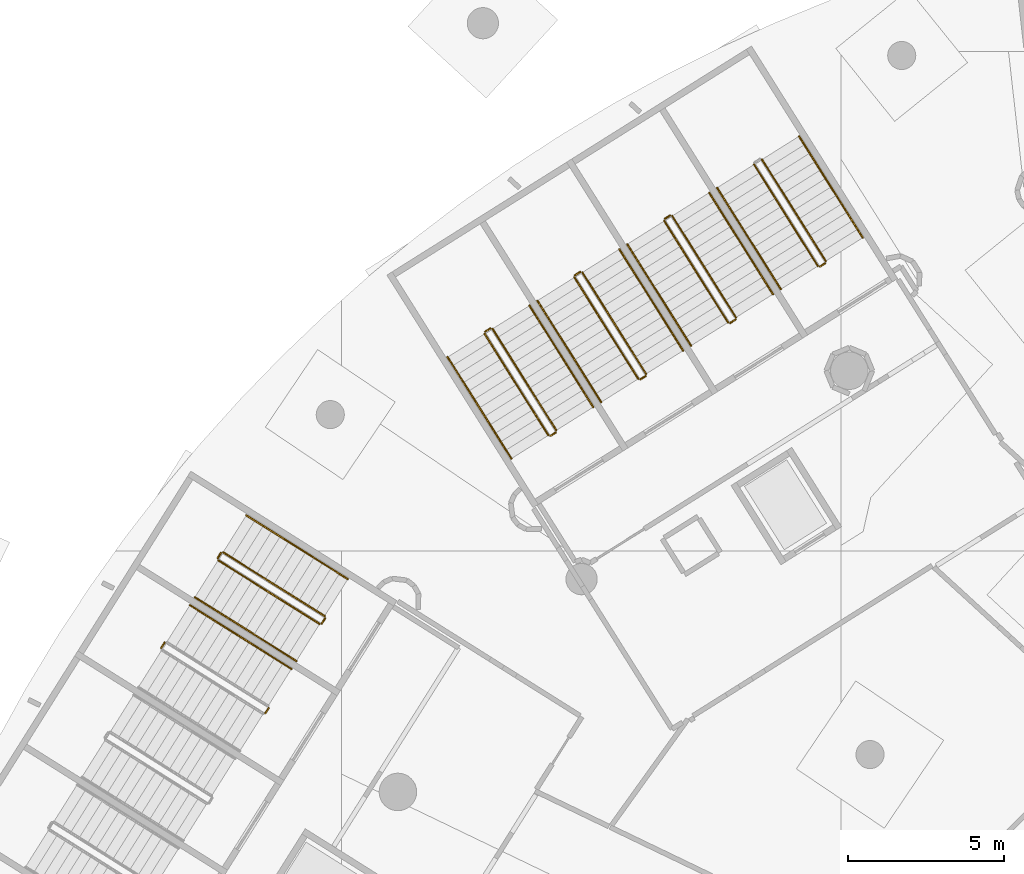
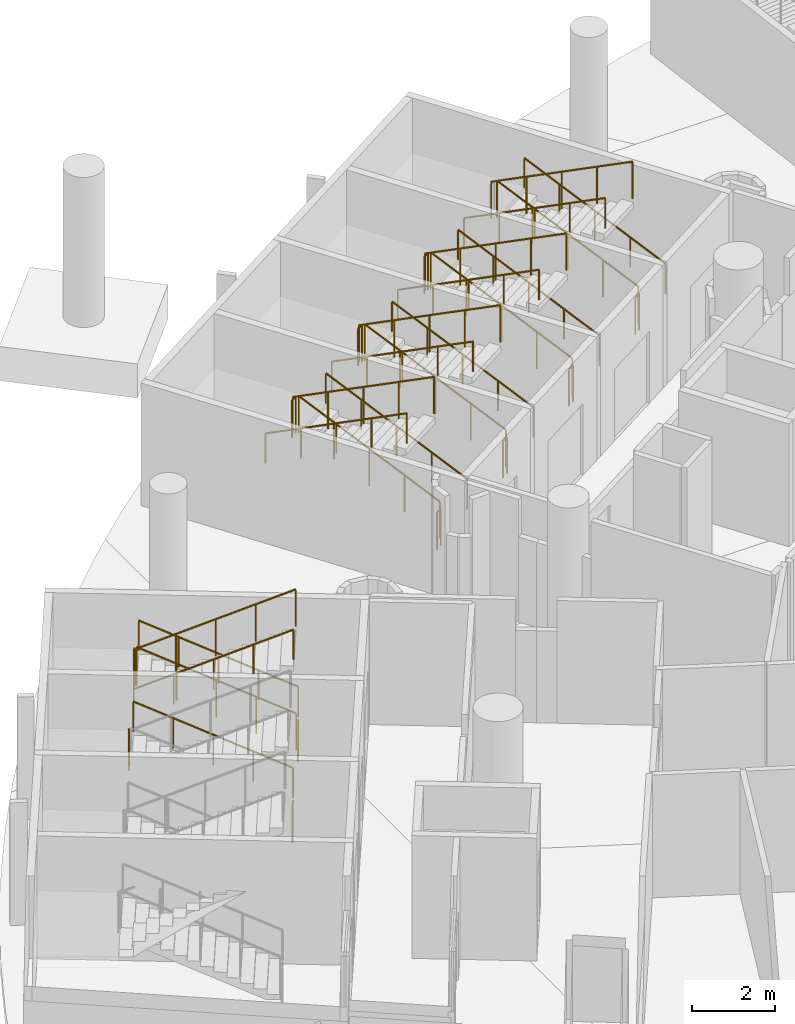
# One storey, part 131 of 142: 32 railings.
"""IFC4 building model written with IfcOpenShell, lengths in metres."""

from ifc_helpers import new_model, si_unit, direction, frame, origin, origin_2d, place, context, subcontext, project, spatial, circle, extrude, material, type_object, element, save


model = new_model("IFC4")

# Units and contexts
model_context = context("Model", 3, precision=1e-05, world=origin(), true_north=direction((0.0, 1.0)))
body_context = subcontext(model_context, "Body", "Model", "MODEL_VIEW")
ifc_project = project(units=[si_unit("LENGTHUNIT", "METRE"), si_unit("AREAUNIT", "SQUARE_METRE"), si_unit("VOLUMEUNIT", "CUBIC_METRE"), si_unit("PLANEANGLEUNIT", "RADIAN"), si_unit("MASSUNIT", "GRAM", prefix="KILO")], contexts=[model_context])

# Site, building, storey
site_placement = place(None, origin())
site = spatial("IfcSite", under=ifc_project, at=site_placement, CompositionType="ELEMENT")
building_placement = place(site_placement, origin())
building = spatial("IfcBuilding", under=site, at=building_placement, Name="Meseta Stadium", CompositionType="ELEMENT")
storey_placement = place(building_placement, frame((0.0, 0.0, -4.0)))
storey = spatial("IfcBuildingStorey", under=building, at=storey_placement, Name="B1", CompositionType="ELEMENT", Elevation=-4.0)

# Railings
ifc_material_1 = material(Name="Steel S355", Category="steel")
railing_type_1 = type_object("IfcRailingType", Name="Stair guard 1100", PredefinedType="GUARDRAIL", material=ifc_material_1)
railing_1_placement = place(storey_placement, frame((-64.4853515625, 89.286865234375, 0.15380859375)))
element("IfcRailing", 1, at=railing_1_placement, inside=storey, type_object=railing_type_1, Name="ST49 B1 guard 1", PredefinedType="GUARDRAIL", context=body_context, shape_type="SweptSolid", body=[
    extrude(circle(Radius=0.02392578125, at=origin_2d()), frame((0.0, 0.0, 1.076171875), z_axis=(-0.479483373968, 0.763116583952, 0.433299865434), x_axis=(-0.84673147488, -0.532020497206, 0.0)), (0.0, 0.0, 1.0), 4.2607421875),
    extrude(circle(Radius=0.02099609375, at=origin_2d()), origin(), (0.0, 0.0, 1.0), 1.052001953125),
    extrude(circle(Radius=0.02099609375, at=origin_2d()), frame((-0.5107421875, 0.81298828125, 0.46142578125)), (0.0, 0.0, 1.0), 1.052001953125),
    extrude(circle(Radius=0.02099609375, at=origin_2d()), frame((-1.021484375, 1.625732421875, 0.923095703125)), (0.0, 0.0, 1.0), 1.052001953125),
    extrude(circle(Radius=0.02099609375, at=origin_2d()), frame((-1.5322265625, 2.4384765625, 1.384765625)), (0.0, 0.0, 1.0), 1.052001953125),
    extrude(circle(Radius=0.02099609375, at=origin_2d()), frame((-2.04296875, 3.25146484375, 1.84619140625)), (0.0, 0.0, 1.0), 1.052001953125),
])
railing_2_placement = place(storey_placement, frame((-66.7822265625, 92.37890625, 2.15380859375)))
element("IfcRailing", 2, at=railing_2_placement, inside=storey, type_object=railing_type_1, Name="ST49 B1 guard 3", PredefinedType="GUARDRAIL", context=body_context, shape_type="SweptSolid", body=[
    extrude(circle(Radius=0.02392578125, at=origin_2d()), frame((0.0, 0.0, 1.076171875), z_axis=(0.479483373968, -0.763116583952, 0.433299865434), x_axis=(0.84673147488, 0.532020497206, 0.0)), (0.0, 0.0, 1.0), 4.2607421875),
    extrude(circle(Radius=0.02099609375, at=origin_2d()), origin(), (0.0, 0.0, 1.0), 1.052001953125),
    extrude(circle(Radius=0.02099609375, at=origin_2d()), frame((0.5107421875, -0.81298828125, 0.46142578125)), (0.0, 0.0, 1.0), 1.052001953125),
    extrude(circle(Radius=0.02099609375, at=origin_2d()), frame((1.021484375, -1.625732421875, 0.923095703125)), (0.0, 0.0, 1.0), 1.052001953125),
    extrude(circle(Radius=0.02099609375, at=origin_2d()), frame((1.5322265625, -2.4384765625, 1.384765625)), (0.0, 0.0, 1.0), 1.052001953125),
    extrude(circle(Radius=0.02099609375, at=origin_2d()), frame((2.04296875, -3.25146484375, 1.84619140625)), (0.0, 0.0, 1.0), 1.052001953125),
])
railing_3_placement = place(storey_placement, frame((-64.5009765625, 89.218017578125, 0.0)))
element("IfcRailing", 3, at=railing_3_placement, inside=storey, type_object=railing_type_1, Name="ST49 B1 guard 4", PredefinedType="GUARDRAIL", context=body_context, shape_type="SweptSolid", body=[
    extrude(circle(Radius=0.02392578125, at=origin_2d()), frame((0.0, 0.0, 1.076171875), z_axis=(-0.846762178531, -0.531971628011, 0.0), x_axis=(0.531971628011, -0.846762178531, 0.0)), (0.0, 0.0, 1.0), 0.2001953125),
    extrude(circle(Radius=0.02099609375, at=origin_2d()), origin(), (0.0, 0.0, 1.0), 1.052001953125),
    extrude(circle(Radius=0.02099609375, at=origin_2d()), frame((-0.16943359375, -0.1064453125, 0.0)), (0.0, 0.0, 1.0), 1.052001953125),
])
railing_4_placement = place(storey_placement, frame((-67.3642578125, 87.47802734375, 0.15380859375)))
element("IfcRailing", 4, at=railing_4_placement, inside=storey, type_object=railing_type_1, Name="ST50 B1 guard 1", PredefinedType="GUARDRAIL", context=body_context, shape_type="SweptSolid", body=[
    extrude(circle(Radius=0.02392578125, at=origin_2d()), frame((0.0, 0.0, 1.076171875), z_axis=(-0.479483373968, 0.763116583952, 0.433299865434), x_axis=(-0.84673147488, -0.532020497206, 0.0)), (0.0, 0.0, 1.0), 4.2607421875),
    extrude(circle(Radius=0.02099609375, at=origin_2d()), origin(), (0.0, 0.0, 1.0), 1.052001953125),
    extrude(circle(Radius=0.02099609375, at=origin_2d()), frame((-0.5107421875, 0.81298828125, 0.46142578125)), (0.0, 0.0, 1.0), 1.052001953125),
    extrude(circle(Radius=0.02099609375, at=origin_2d()), frame((-1.021484375, 1.625732421875, 0.923095703125)), (0.0, 0.0, 1.0), 1.052001953125),
    extrude(circle(Radius=0.02099609375, at=origin_2d()), frame((-1.5322265625, 2.4384765625, 1.384765625)), (0.0, 0.0, 1.0), 1.052001953125),
    extrude(circle(Radius=0.02099609375, at=origin_2d()), frame((-2.04296875, 3.25146484375, 1.84619140625)), (0.0, 0.0, 1.0), 1.052001953125),
])
railing_5_placement = place(storey_placement, frame((-69.47607421875, 90.7451171875, 2.0)))
element("IfcRailing", 5, at=railing_5_placement, inside=storey, type_object=railing_type_1, Name="ST50 B1 guard 2", PredefinedType="GUARDRAIL", context=body_context, shape_type="SweptSolid", body=[
    extrude(circle(Radius=0.02392578125, at=origin_2d()), frame((0.0, 0.0, 1.076171875), z_axis=(-0.847311689252, -0.531095943551, 0.0), x_axis=(0.531095943551, -0.847311689252, 0.0)), (0.0, 0.0, 1.0), 0.199951171875),
    extrude(circle(Radius=0.02099609375, at=origin_2d()), origin(), (0.0, 0.0, 1.0), 1.052001953125),
    extrude(circle(Radius=0.02099609375, at=origin_2d()), frame((-0.16943359375, -0.106201171875, 0.0)), (0.0, 0.0, 1.0), 1.052001953125),
])
railing_6_placement = place(storey_placement, frame((-69.6611328125, 90.56982421875, 2.15380859375)))
element("IfcRailing", 6, at=railing_6_placement, inside=storey, type_object=railing_type_1, Name="ST50 B1 guard 3", PredefinedType="GUARDRAIL", context=body_context, shape_type="SweptSolid", body=[
    extrude(circle(Radius=0.02392578125, at=origin_2d()), frame((0.0, 0.0, 1.076171875), z_axis=(0.479483373968, -0.763116583952, 0.433299865434), x_axis=(0.84673147488, 0.532020497206, 0.0)), (0.0, 0.0, 1.0), 4.2607421875),
    extrude(circle(Radius=0.02099609375, at=origin_2d()), origin(), (0.0, 0.0, 1.0), 1.052001953125),
    extrude(circle(Radius=0.02099609375, at=origin_2d()), frame((0.5107421875, -0.81298828125, 0.46142578125)), (0.0, 0.0, 1.0), 1.052001953125),
    extrude(circle(Radius=0.02099609375, at=origin_2d()), frame((1.021484375, -1.625732421875, 0.923095703125)), (0.0, 0.0, 1.0), 1.052001953125),
    extrude(circle(Radius=0.02099609375, at=origin_2d()), frame((1.5322265625, -2.4384765625, 1.384765625)), (0.0, 0.0, 1.0), 1.052001953125),
    extrude(circle(Radius=0.02099609375, at=origin_2d()), frame((2.04296875, -3.25146484375, 1.84619140625)), (0.0, 0.0, 1.0), 1.052001953125),
])
railing_7_placement = place(storey_placement, frame((-67.3798828125, 87.4091796875, 0.0)))
element("IfcRailing", 7, at=railing_7_placement, inside=storey, type_object=railing_type_1, Name="ST50 B1 guard 4", PredefinedType="GUARDRAIL", context=body_context, shape_type="SweptSolid", body=[
    extrude(circle(Radius=0.02392578125, at=origin_2d()), frame((0.0, 0.0, 1.076171875), z_axis=(-0.846762178531, -0.531971628011, 0.0), x_axis=(0.531971628011, -0.846762178531, 0.0)), (0.0, 0.0, 1.0), 0.2001953125),
    extrude(circle(Radius=0.02099609375, at=origin_2d()), origin(), (0.0, 0.0, 1.0), 1.052001953125),
    extrude(circle(Radius=0.02099609375, at=origin_2d()), frame((-0.16943359375, -0.1064453125, 0.0)), (0.0, 0.0, 1.0), 1.052001953125),
])
railing_8_placement = place(storey_placement, frame((-70.242919921875, 85.669189453125, 0.15380859375)))
element("IfcRailing", 8, at=railing_8_placement, inside=storey, type_object=railing_type_1, Name="ST51 B1 guard 1", PredefinedType="GUARDRAIL", context=body_context, shape_type="SweptSolid", body=[
    extrude(circle(Radius=0.02392578125, at=origin_2d()), frame((0.0, 0.0, 1.076171875), z_axis=(-0.479483373968, 0.763116583952, 0.433299865434), x_axis=(-0.84673147488, -0.532020497206, 0.0)), (0.0, 0.0, 1.0), 4.2607421875),
    extrude(circle(Radius=0.02099609375, at=origin_2d()), origin(), (0.0, 0.0, 1.0), 1.052001953125),
    extrude(circle(Radius=0.02099609375, at=origin_2d()), frame((-0.5107421875, 0.81298828125, 0.46142578125)), (0.0, 0.0, 1.0), 1.052001953125),
    extrude(circle(Radius=0.02099609375, at=origin_2d()), frame((-1.021484375, 1.625732421875, 0.923095703125)), (0.0, 0.0, 1.0), 1.052001953125),
    extrude(circle(Radius=0.02099609375, at=origin_2d()), frame((-1.5322265625, 2.4384765625, 1.384765625)), (0.0, 0.0, 1.0), 1.052001953125),
    extrude(circle(Radius=0.02099609375, at=origin_2d()), frame((-2.04296875, 3.25146484375, 1.84619140625)), (0.0, 0.0, 1.0), 1.052001953125),
])
railing_9_placement = place(storey_placement, frame((-72.35498046875, 88.936279296875, 2.0)))
element("IfcRailing", 9, at=railing_9_placement, inside=storey, type_object=railing_type_1, Name="ST51 B1 guard 2", PredefinedType="GUARDRAIL", context=body_context, shape_type="SweptSolid", body=[
    extrude(circle(Radius=0.02392578125, at=origin_2d()), frame((0.0, 0.0, 1.076171875), z_axis=(-0.846416356806, -0.532521690573, 0.0), x_axis=(0.532521690573, -0.846416356806, 0.0)), (0.0, 0.0, 1.0), 0.199951171875),
    extrude(circle(Radius=0.02099609375, at=origin_2d()), origin(), (0.0, 0.0, 1.0), 1.052001953125),
    extrude(circle(Radius=0.02099609375, at=origin_2d()), frame((-0.169189453125, -0.1064453125, 0.0)), (0.0, 0.0, 1.0), 1.052001953125),
])
railing_10_placement = place(storey_placement, frame((-72.5400390625, 88.760986328125, 2.15380859375)))
element("IfcRailing", 10, at=railing_10_placement, inside=storey, type_object=railing_type_1, Name="ST51 B1 guard 3", PredefinedType="GUARDRAIL", context=body_context, shape_type="SweptSolid", body=[
    extrude(circle(Radius=0.02392578125, at=origin_2d()), frame((0.0, 0.0, 1.076171875), z_axis=(0.479483373968, -0.763116583952, 0.433299865434), x_axis=(0.84673147488, 0.532020497206, 0.0)), (0.0, 0.0, 1.0), 4.2607421875),
    extrude(circle(Radius=0.02099609375, at=origin_2d()), origin(), (0.0, 0.0, 1.0), 1.052001953125),
    extrude(circle(Radius=0.02099609375, at=origin_2d()), frame((0.5107421875, -0.81298828125, 0.46142578125)), (0.0, 0.0, 1.0), 1.052001953125),
    extrude(circle(Radius=0.02099609375, at=origin_2d()), frame((1.021484375, -1.625732421875, 0.923095703125)), (0.0, 0.0, 1.0), 1.052001953125),
    extrude(circle(Radius=0.02099609375, at=origin_2d()), frame((1.5322265625, -2.4384765625, 1.384765625)), (0.0, 0.0, 1.0), 1.052001953125),
    extrude(circle(Radius=0.02099609375, at=origin_2d()), frame((2.04296875, -3.25146484375, 1.84619140625)), (0.0, 0.0, 1.0), 1.052001953125),
])
railing_11_placement = place(storey_placement, frame((-70.2587890625, 85.600341796875, 0.0)))
element("IfcRailing", 11, at=railing_11_placement, inside=storey, type_object=railing_type_1, Name="ST51 B1 guard 4", PredefinedType="GUARDRAIL", context=body_context, shape_type="SweptSolid", body=[
    extrude(circle(Radius=0.02392578125, at=origin_2d()), frame((0.0, 0.0, 1.076171875), z_axis=(-0.846416356806, -0.532521690573, 0.0), x_axis=(0.532521690573, -0.846416356806, 0.0)), (0.0, 0.0, 1.0), 0.199951171875),
    extrude(circle(Radius=0.02099609375, at=origin_2d()), origin(), (0.0, 0.0, 1.0), 1.052001953125),
    extrude(circle(Radius=0.02099609375, at=origin_2d()), frame((-0.169189453125, -0.1064453125, 0.0)), (0.0, 0.0, 1.0), 1.052001953125),
])
railing_12_placement = place(storey_placement, frame((-73.121826171875, 83.8603515625, 0.15380859375)))
element("IfcRailing", 12, at=railing_12_placement, inside=storey, type_object=railing_type_1, Name="ST52 B1 guard 1", PredefinedType="GUARDRAIL", context=body_context, shape_type="SweptSolid", body=[
    extrude(circle(Radius=0.02392578125, at=origin_2d()), frame((0.0, 0.0, 1.076171875), z_axis=(-0.479504340592, 0.763092651012, 0.433318812567), x_axis=(-0.846713477947, -0.532049138955, 0.0)), (0.0, 0.0, 1.0), 4.260498046875),
    extrude(circle(Radius=0.02099609375, at=origin_2d()), origin(), (0.0, 0.0, 1.0), 1.052001953125),
    extrude(circle(Radius=0.02099609375, at=origin_2d()), frame((-0.5107421875, 0.812744140625, 0.46142578125)), (0.0, 0.0, 1.0), 1.052001953125),
    extrude(circle(Radius=0.02099609375, at=origin_2d()), frame((-1.021484375, 1.62548828125, 0.923095703125)), (0.0, 0.0, 1.0), 1.052001953125),
    extrude(circle(Radius=0.02099609375, at=origin_2d()), frame((-1.5322265625, 2.4384765625, 1.384765625)), (0.0, 0.0, 1.0), 1.052001953125),
    extrude(circle(Radius=0.02099609375, at=origin_2d()), frame((-2.04296875, 3.251220703125, 1.84619140625)), (0.0, 0.0, 1.0), 1.052001953125),
])
railing_13_placement = place(storey_placement, frame((-75.23388671875, 87.12744140625, 2.0)))
element("IfcRailing", 13, at=railing_13_placement, inside=storey, type_object=railing_type_1, Name="ST52 B1 guard 2", PredefinedType="GUARDRAIL", context=body_context, shape_type="SweptSolid", body=[
    extrude(circle(Radius=0.02392578125, at=origin_2d()), frame((0.0, 0.0, 1.076171875), z_axis=(-0.846416356806, -0.532521690573, 0.0), x_axis=(0.532521690573, -0.846416356806, 0.0)), (0.0, 0.0, 1.0), 0.199951171875),
    extrude(circle(Radius=0.02099609375, at=origin_2d()), origin(), (0.0, 0.0, 1.0), 1.052001953125),
    extrude(circle(Radius=0.02099609375, at=origin_2d()), frame((-0.169189453125, -0.1064453125, 0.0)), (0.0, 0.0, 1.0), 1.052001953125),
])
railing_14_placement = place(storey_placement, frame((-75.4189453125, 86.9521484375, 2.15380859375)))
element("IfcRailing", 14, at=railing_14_placement, inside=storey, type_object=railing_type_1, Name="ST52 B1 guard 3", PredefinedType="GUARDRAIL", context=body_context, shape_type="SweptSolid", body=[
    extrude(circle(Radius=0.02392578125, at=origin_2d()), frame((0.0, 0.0, 1.076171875), z_axis=(0.479483373968, -0.763116583952, 0.433299865434), x_axis=(0.84673147488, 0.532020497206, 0.0)), (0.0, 0.0, 1.0), 4.2607421875),
    extrude(circle(Radius=0.02099609375, at=origin_2d()), origin(), (0.0, 0.0, 1.0), 1.052001953125),
    extrude(circle(Radius=0.02099609375, at=origin_2d()), frame((0.5107421875, -0.81298828125, 0.46142578125)), (0.0, 0.0, 1.0), 1.052001953125),
    extrude(circle(Radius=0.02099609375, at=origin_2d()), frame((1.021484375, -1.625732421875, 0.923095703125)), (0.0, 0.0, 1.0), 1.052001953125),
    extrude(circle(Radius=0.02099609375, at=origin_2d()), frame((1.5322265625, -2.4384765625, 1.384765625)), (0.0, 0.0, 1.0), 1.052001953125),
    extrude(circle(Radius=0.02099609375, at=origin_2d()), frame((2.04296875, -3.25146484375, 1.84619140625)), (0.0, 0.0, 1.0), 1.052001953125),
])
railing_15_placement = place(storey_placement, frame((-73.1376953125, 83.791259765625, 0.0)))
element("IfcRailing", 15, at=railing_15_placement, inside=storey, type_object=railing_type_1, Name="ST52 B1 guard 4", PredefinedType="GUARDRAIL", context=body_context, shape_type="SweptSolid", body=[
    extrude(circle(Radius=0.02392578125, at=origin_2d()), frame((0.0, 0.0, 1.076171875), z_axis=(-0.846416356806, -0.532521690573, 0.0), x_axis=(0.532521690573, -0.846416356806, 0.0)), (0.0, 0.0, 1.0), 0.199951171875),
    extrude(circle(Radius=0.02099609375, at=origin_2d()), origin(), (0.0, 0.0, 1.0), 1.052001953125),
    extrude(circle(Radius=0.02099609375, at=origin_2d()), frame((-0.169189453125, -0.1064453125, 0.0)), (0.0, 0.0, 1.0), 1.052001953125),
])
railing_16_placement = place(storey_placement, frame((-80.54736328125, 77.907958984375, 0.15380859375)))
element("IfcRailing", 16, at=railing_16_placement, inside=storey, type_object=railing_type_1, Name="ST53 B1 guard 1", PredefinedType="GUARDRAIL", context=body_context, shape_type="SweptSolid", body=[
    extrude(circle(Radius=0.02392578125, at=origin_2d()), frame((0.0, 0.0, 1.076171875), z_axis=(-0.763116583952, 0.479483373968, 0.433299865434), x_axis=(-0.532020497206, -0.84673147488, 0.0)), (0.0, 0.0, 1.0), 4.2607421875),
    extrude(circle(Radius=0.02099609375, at=origin_2d()), origin(), (0.0, 0.0, 1.0), 1.052001953125),
    extrude(circle(Radius=0.02099609375, at=origin_2d()), frame((-0.81298828125, 0.5107421875, 0.46142578125)), (0.0, 0.0, 1.0), 1.052001953125),
    extrude(circle(Radius=0.02099609375, at=origin_2d()), frame((-1.625732421875, 1.021484375, 0.923095703125)), (0.0, 0.0, 1.0), 1.052001953125),
    extrude(circle(Radius=0.02099609375, at=origin_2d()), frame((-2.4384765625, 1.5322265625, 1.384765625)), (0.0, 0.0, 1.0), 1.052001953125),
    extrude(circle(Radius=0.02099609375, at=origin_2d()), frame((-3.25146484375, 2.04296875, 1.84619140625)), (0.0, 0.0, 1.0), 1.052001953125),
])
railing_17_placement = place(storey_placement, frame((-83.86767578125, 79.935302734375, 2.0)))
element("IfcRailing", 17, at=railing_17_placement, inside=storey, type_object=railing_type_1, Name="ST53 B1 guard 2", PredefinedType="GUARDRAIL", context=body_context, shape_type="SweptSolid", body=[
    extrude(circle(Radius=0.02392578125, at=origin_2d()), frame((0.0, 0.0, 1.076171875), z_axis=(-0.531971628011, -0.846762178531, 0.0), x_axis=(0.846762178531, -0.531971628011, 0.0)), (0.0, 0.0, 1.0), 0.2001953125),
    extrude(circle(Radius=0.02099609375, at=origin_2d()), origin(), (0.0, 0.0, 1.0), 1.052001953125),
    extrude(circle(Radius=0.02099609375, at=origin_2d()), frame((-0.1064453125, -0.16943359375, 0.0)), (0.0, 0.0, 1.0), 1.052001953125),
])
railing_18_placement = place(storey_placement, frame((-83.95849609375, 79.697021484375, 2.15380859375)))
element("IfcRailing", 18, at=railing_18_placement, inside=storey, type_object=railing_type_1, Name="ST53 B1 guard 3", PredefinedType="GUARDRAIL", context=body_context, shape_type="SweptSolid", body=[
    extrude(circle(Radius=0.02392578125, at=origin_2d()), frame((0.0, 0.0, 1.076171875), z_axis=(0.763095617528, -0.479527498355, 0.433287960636), x_axis=(0.53206607739, 0.846702834111, 0.0)), (0.0, 0.0, 1.0), 4.260986328125),
    extrude(circle(Radius=0.02099609375, at=origin_2d()), origin(), (0.0, 0.0, 1.0), 1.052001953125),
    extrude(circle(Radius=0.02099609375, at=origin_2d()), frame((0.81298828125, -0.5107421875, 0.46142578125)), (0.0, 0.0, 1.0), 1.052001953125),
    extrude(circle(Radius=0.02099609375, at=origin_2d()), frame((1.625732421875, -1.021484375, 0.923095703125)), (0.0, 0.0, 1.0), 1.052001953125),
    extrude(circle(Radius=0.02099609375, at=origin_2d()), frame((2.4384765625, -1.532470703125, 1.384765625)), (0.0, 0.0, 1.0), 1.052001953125),
    extrude(circle(Radius=0.02099609375, at=origin_2d()), frame((3.25146484375, -2.043212890625, 1.84619140625)), (0.0, 0.0, 1.0), 1.052001953125),
])
railing_19_placement = place(storey_placement, frame((-80.53173828125, 77.8388671875, 0.0)))
element("IfcRailing", 19, at=railing_19_placement, inside=storey, type_object=railing_type_1, Name="ST53 B1 guard 4", PredefinedType="GUARDRAIL", context=body_context, shape_type="SweptSolid", body=[
    extrude(circle(Radius=0.02392578125, at=origin_2d()), frame((0.0, 0.0, 1.076171875), z_axis=(-0.531645814745, -0.846966780732, 0.0), x_axis=(0.846966780732, -0.531645814745, 0.0)), (0.0, 0.0, 1.0), 0.19970703125),
    extrude(circle(Radius=0.02099609375, at=origin_2d()), origin(), (0.0, 0.0, 1.0), 1.052001953125),
    extrude(circle(Radius=0.02099609375, at=origin_2d()), frame((-0.106201171875, -0.169189453125, 0.0)), (0.0, 0.0, 1.0), 1.052001953125),
])
railing_20_placement = place(storey_placement, frame((-85.6767578125, 77.056396484375, 2.0)))
element("IfcRailing", 20, at=railing_20_placement, inside=storey, type_object=railing_type_1, Name="ST54 B1 guard 2", PredefinedType="GUARDRAIL", context=body_context, shape_type="SweptSolid", body=[
    extrude(circle(Radius=0.02392578125, at=origin_2d()), frame((0.0, 0.0, 1.076171875), z_axis=(-0.531095943551, -0.847311689252, 0.0), x_axis=(0.847311689252, -0.531095943551, 0.0)), (0.0, 0.0, 1.0), 0.199951171875),
    extrude(circle(Radius=0.02099609375, at=origin_2d()), origin(), (0.0, 0.0, 1.0), 1.052001953125),
    extrude(circle(Radius=0.02099609375, at=origin_2d()), frame((-0.106201171875, -0.16943359375, 0.0)), (0.0, 0.0, 1.0), 1.052001953125),
])
railing_21_placement = place(storey_placement, frame((-82.340576171875, 74.960205078125, 0.0)))
element("IfcRailing", 21, at=railing_21_placement, inside=storey, type_object=railing_type_1, Name="ST54 B1 guard 4", PredefinedType="GUARDRAIL", context=body_context, shape_type="SweptSolid", body=[
    extrude(circle(Radius=0.02392578125, at=origin_2d()), frame((0.0, 0.0, 1.076171875), z_axis=(-0.531971628011, -0.846762178531, 0.0), x_axis=(0.846762178531, -0.531971628011, 0.0)), (0.0, 0.0, 1.0), 0.2001953125),
    extrude(circle(Radius=0.02099609375, at=origin_2d()), origin(), (0.0, 0.0, 1.0), 1.052001953125),
    extrude(circle(Radius=0.02099609375, at=origin_2d()), frame((-0.1064453125, -0.16943359375, 0.0)), (0.0, 0.0, 1.0), 1.052001953125),
])
ifc_material_2 = material(Name="Steel S355", Category="steel")
railing_type_2 = type_object("IfcRailingType", Name="Stair handrail 900", PredefinedType="HANDRAIL", material=ifc_material_2)
railing_22_placement = place(storey_placement, frame((-63.2998046875, 90.03173828125, 0.15380859375)))
element("IfcRailing", 22, at=railing_22_placement, inside=storey, type_object=railing_type_2, Name="ST49 B1 handrail 1", PredefinedType="HANDRAIL", context=body_context, shape_type="SweptSolid", body=[
    extrude(circle(Radius=0.02392578125, at=origin_2d()), frame((0.0, 0.0, 0.8759765625), z_axis=(-0.479483373968, 0.763116583952, 0.433299865434), x_axis=(-0.84673147488, -0.532020497206, 0.0)), (0.0, 0.0, 1.0), 4.2607421875),
    extrude(circle(Radius=0.02099609375, at=origin_2d()), origin(), (0.0, 0.0, 1.0), 0.851806640625),
    extrude(circle(Radius=0.02099609375, at=origin_2d()), frame((-0.5107421875, 0.81298828125, 0.46142578125)), (0.0, 0.0, 1.0), 0.851806640625),
    extrude(circle(Radius=0.02099609375, at=origin_2d()), frame((-1.021484375, 1.625732421875, 0.923095703125)), (0.0, 0.0, 1.0), 0.851806640625),
    extrude(circle(Radius=0.02099609375, at=origin_2d()), frame((-1.5322265625, 2.4384765625, 1.384765625)), (0.0, 0.0, 1.0), 0.851806640625),
    extrude(circle(Radius=0.02099609375, at=origin_2d()), frame((-2.04296875, 3.25146484375, 1.84619140625)), (0.0, 0.0, 1.0), 0.851806640625),
])
railing_23_placement = place(storey_placement, frame((-67.9677734375, 91.634033203125, 2.15380859375)))
element("IfcRailing", 23, at=railing_23_placement, inside=storey, type_object=railing_type_2, Name="ST49 B1 handrail 2", PredefinedType="HANDRAIL", context=body_context, shape_type="SweptSolid", body=[
    extrude(circle(Radius=0.02392578125, at=origin_2d()), frame((0.0, 0.0, 0.8759765625), z_axis=(0.479483373968, -0.763116583952, 0.433299865434), x_axis=(0.84673147488, 0.532020497206, 0.0)), (0.0, 0.0, 1.0), 4.2607421875),
    extrude(circle(Radius=0.02099609375, at=origin_2d()), origin(), (0.0, 0.0, 1.0), 0.851806640625),
    extrude(circle(Radius=0.02099609375, at=origin_2d()), frame((0.5107421875, -0.81298828125, 0.46142578125)), (0.0, 0.0, 1.0), 0.851806640625),
    extrude(circle(Radius=0.02099609375, at=origin_2d()), frame((1.021484375, -1.625732421875, 0.923095703125)), (0.0, 0.0, 1.0), 0.851806640625),
    extrude(circle(Radius=0.02099609375, at=origin_2d()), frame((1.5322265625, -2.4384765625, 1.384765625)), (0.0, 0.0, 1.0), 0.851806640625),
    extrude(circle(Radius=0.02099609375, at=origin_2d()), frame((2.04296875, -3.25146484375, 1.84619140625)), (0.0, 0.0, 1.0), 0.851806640625),
])
railing_24_placement = place(storey_placement, frame((-66.1787109375, 88.222900390625, 0.15380859375)))
element("IfcRailing", 24, at=railing_24_placement, inside=storey, type_object=railing_type_2, Name="ST50 B1 handrail 1", PredefinedType="HANDRAIL", context=body_context, shape_type="SweptSolid", body=[
    extrude(circle(Radius=0.02392578125, at=origin_2d()), frame((0.0, 0.0, 0.8759765625), z_axis=(-0.479483373968, 0.763116583952, 0.433299865434), x_axis=(-0.84673147488, -0.532020497206, 0.0)), (0.0, 0.0, 1.0), 4.2607421875),
    extrude(circle(Radius=0.02099609375, at=origin_2d()), origin(), (0.0, 0.0, 1.0), 0.851806640625),
    extrude(circle(Radius=0.02099609375, at=origin_2d()), frame((-0.5107421875, 0.81298828125, 0.46142578125)), (0.0, 0.0, 1.0), 0.851806640625),
    extrude(circle(Radius=0.02099609375, at=origin_2d()), frame((-1.021484375, 1.625732421875, 0.923095703125)), (0.0, 0.0, 1.0), 0.851806640625),
    extrude(circle(Radius=0.02099609375, at=origin_2d()), frame((-1.5322265625, 2.4384765625, 1.384765625)), (0.0, 0.0, 1.0), 0.851806640625),
    extrude(circle(Radius=0.02099609375, at=origin_2d()), frame((-2.04296875, 3.25146484375, 1.84619140625)), (0.0, 0.0, 1.0), 0.851806640625),
])
railing_25_placement = place(storey_placement, frame((-70.8466796875, 89.824951171875, 2.15380859375)))
element("IfcRailing", 25, at=railing_25_placement, inside=storey, type_object=railing_type_2, Name="ST50 B1 handrail 2", PredefinedType="HANDRAIL", context=body_context, shape_type="SweptSolid", body=[
    extrude(circle(Radius=0.02392578125, at=origin_2d()), frame((0.0, 0.0, 0.8759765625), z_axis=(0.479548465756, -0.763071683412, 0.433306906207), x_axis=(0.846684834703, 0.532094719654, 0.0)), (0.0, 0.0, 1.0), 4.2607421875),
    extrude(circle(Radius=0.02099609375, at=origin_2d()), origin(), (0.0, 0.0, 1.0), 0.851806640625),
    extrude(circle(Radius=0.02099609375, at=origin_2d()), frame((0.5107421875, -0.812744140625, 0.46142578125)), (0.0, 0.0, 1.0), 0.851806640625),
    extrude(circle(Radius=0.02099609375, at=origin_2d()), frame((1.021484375, -1.62548828125, 0.923095703125)), (0.0, 0.0, 1.0), 0.851806640625),
    extrude(circle(Radius=0.02099609375, at=origin_2d()), frame((1.532470703125, -2.4384765625, 1.384765625)), (0.0, 0.0, 1.0), 0.851806640625),
    extrude(circle(Radius=0.02099609375, at=origin_2d()), frame((2.043212890625, -3.251220703125, 1.84619140625)), (0.0, 0.0, 1.0), 0.851806640625),
])
railing_26_placement = place(storey_placement, frame((-69.0576171875, 86.4140625, 0.15380859375)))
element("IfcRailing", 26, at=railing_26_placement, inside=storey, type_object=railing_type_2, Name="ST51 B1 handrail 1", PredefinedType="HANDRAIL", context=body_context, shape_type="SweptSolid", body=[
    extrude(circle(Radius=0.02392578125, at=origin_2d()), frame((0.0, 0.0, 0.8759765625), z_axis=(-0.479483373968, 0.763116583952, 0.433299865434), x_axis=(-0.84673147488, -0.532020497206, 0.0)), (0.0, 0.0, 1.0), 4.2607421875),
    extrude(circle(Radius=0.02099609375, at=origin_2d()), origin(), (0.0, 0.0, 1.0), 0.851806640625),
    extrude(circle(Radius=0.02099609375, at=origin_2d()), frame((-0.5107421875, 0.81298828125, 0.46142578125)), (0.0, 0.0, 1.0), 0.851806640625),
    extrude(circle(Radius=0.02099609375, at=origin_2d()), frame((-1.021484375, 1.625732421875, 0.923095703125)), (0.0, 0.0, 1.0), 0.851806640625),
    extrude(circle(Radius=0.02099609375, at=origin_2d()), frame((-1.5322265625, 2.4384765625, 1.384765625)), (0.0, 0.0, 1.0), 0.851806640625),
    extrude(circle(Radius=0.02099609375, at=origin_2d()), frame((-2.04296875, 3.25146484375, 1.84619140625)), (0.0, 0.0, 1.0), 0.851806640625),
])
railing_27_placement = place(storey_placement, frame((-73.725341796875, 88.01611328125, 2.15380859375)))
element("IfcRailing", 27, at=railing_27_placement, inside=storey, type_object=railing_type_2, Name="ST51 B1 handrail 2", PredefinedType="HANDRAIL", context=body_context, shape_type="SweptSolid", body=[
    extrude(circle(Radius=0.02392578125, at=origin_2d()), frame((0.0, 0.0, 0.8759765625), z_axis=(0.479483373968, -0.763116583952, 0.433299865434), x_axis=(0.84673147488, 0.532020497206, 0.0)), (0.0, 0.0, 1.0), 4.2607421875),
    extrude(circle(Radius=0.02099609375, at=origin_2d()), origin(), (0.0, 0.0, 1.0), 0.851806640625),
    extrude(circle(Radius=0.02099609375, at=origin_2d()), frame((0.5107421875, -0.81298828125, 0.46142578125)), (0.0, 0.0, 1.0), 0.851806640625),
    extrude(circle(Radius=0.02099609375, at=origin_2d()), frame((1.021484375, -1.625732421875, 0.923095703125)), (0.0, 0.0, 1.0), 0.851806640625),
    extrude(circle(Radius=0.02099609375, at=origin_2d()), frame((1.5322265625, -2.4384765625, 1.384765625)), (0.0, 0.0, 1.0), 0.851806640625),
    extrude(circle(Radius=0.02099609375, at=origin_2d()), frame((2.04296875, -3.25146484375, 1.84619140625)), (0.0, 0.0, 1.0), 0.851806640625),
])
railing_28_placement = place(storey_placement, frame((-71.9365234375, 84.60498046875, 0.15380859375)))
element("IfcRailing", 28, at=railing_28_placement, inside=storey, type_object=railing_type_2, Name="ST52 B1 handrail 1", PredefinedType="HANDRAIL", context=body_context, shape_type="SweptSolid", body=[
    extrude(circle(Radius=0.02392578125, at=origin_2d()), frame((0.0, 0.0, 0.8759765625), z_axis=(-0.479483373968, 0.763116583952, 0.433299865434), x_axis=(-0.84673147488, -0.532020497206, 0.0)), (0.0, 0.0, 1.0), 4.2607421875),
    extrude(circle(Radius=0.02099609375, at=origin_2d()), origin(), (0.0, 0.0, 1.0), 0.851806640625),
    extrude(circle(Radius=0.02099609375, at=origin_2d()), frame((-0.5107421875, 0.81298828125, 0.46142578125)), (0.0, 0.0, 1.0), 0.851806640625),
    extrude(circle(Radius=0.02099609375, at=origin_2d()), frame((-1.021484375, 1.625732421875, 0.923095703125)), (0.0, 0.0, 1.0), 0.851806640625),
    extrude(circle(Radius=0.02099609375, at=origin_2d()), frame((-1.5322265625, 2.4384765625, 1.384765625)), (0.0, 0.0, 1.0), 0.851806640625),
    extrude(circle(Radius=0.02099609375, at=origin_2d()), frame((-2.04296875, 3.25146484375, 1.84619140625)), (0.0, 0.0, 1.0), 0.851806640625),
])
railing_29_placement = place(storey_placement, frame((-76.604248046875, 86.207275390625, 2.15380859375)))
element("IfcRailing", 29, at=railing_29_placement, inside=storey, type_object=railing_type_2, Name="ST52 B1 handrail 2", PredefinedType="HANDRAIL", context=body_context, shape_type="SweptSolid", body=[
    extrude(circle(Radius=0.02392578125, at=origin_2d()), frame((0.0, 0.0, 0.8759765625), z_axis=(0.479483373968, -0.763116583952, 0.433299865434), x_axis=(0.84673147488, 0.532020497206, 0.0)), (0.0, 0.0, 1.0), 4.2607421875),
    extrude(circle(Radius=0.02099609375, at=origin_2d()), origin(), (0.0, 0.0, 1.0), 0.851806640625),
    extrude(circle(Radius=0.02099609375, at=origin_2d()), frame((0.5107421875, -0.81298828125, 0.46142578125)), (0.0, 0.0, 1.0), 0.851806640625),
    extrude(circle(Radius=0.02099609375, at=origin_2d()), frame((1.021484375, -1.625732421875, 0.923095703125)), (0.0, 0.0, 1.0), 0.851806640625),
    extrude(circle(Radius=0.02099609375, at=origin_2d()), frame((1.5322265625, -2.4384765625, 1.384765625)), (0.0, 0.0, 1.0), 0.851806640625),
    extrude(circle(Radius=0.02099609375, at=origin_2d()), frame((2.04296875, -3.25146484375, 1.84619140625)), (0.0, 0.0, 1.0), 0.851806640625),
])
railing_30_placement = place(storey_placement, frame((-79.802490234375, 79.09326171875, 0.15380859375)))
element("IfcRailing", 30, at=railing_30_placement, inside=storey, type_object=railing_type_2, Name="ST53 B1 handrail 1", PredefinedType="HANDRAIL", context=body_context, shape_type="SweptSolid", body=[
    extrude(circle(Radius=0.02392578125, at=origin_2d()), frame((0.0, 0.0, 0.8759765625), z_axis=(-0.763116583952, 0.479483373968, 0.433299865434), x_axis=(-0.532020497206, -0.84673147488, 0.0)), (0.0, 0.0, 1.0), 4.2607421875),
    extrude(circle(Radius=0.02099609375, at=origin_2d()), origin(), (0.0, 0.0, 1.0), 0.851806640625),
    extrude(circle(Radius=0.02099609375, at=origin_2d()), frame((-0.81298828125, 0.5107421875, 0.46142578125)), (0.0, 0.0, 1.0), 0.851806640625),
    extrude(circle(Radius=0.02099609375, at=origin_2d()), frame((-1.625732421875, 1.021484375, 0.923095703125)), (0.0, 0.0, 1.0), 0.851806640625),
    extrude(circle(Radius=0.02099609375, at=origin_2d()), frame((-2.4384765625, 1.5322265625, 1.384765625)), (0.0, 0.0, 1.0), 0.851806640625),
    extrude(circle(Radius=0.02099609375, at=origin_2d()), frame((-3.25146484375, 2.04296875, 1.84619140625)), (0.0, 0.0, 1.0), 0.851806640625),
])
railing_31_placement = place(storey_placement, frame((-84.703125, 78.511474609375, 2.15380859375)))
element("IfcRailing", 31, at=railing_31_placement, inside=storey, type_object=railing_type_2, Name="ST53 B1 handrail 2", PredefinedType="HANDRAIL", context=body_context, shape_type="SweptSolid", body=[
    extrude(circle(Radius=0.02392578125, at=origin_2d()), frame((0.0, 0.0, 0.8759765625), z_axis=(0.763092651012, -0.479504340592, 0.433318812567), x_axis=(0.532049138955, 0.846713477947, 0.0)), (0.0, 0.0, 1.0), 4.260498046875),
    extrude(circle(Radius=0.02099609375, at=origin_2d()), origin(), (0.0, 0.0, 1.0), 0.851806640625),
    extrude(circle(Radius=0.02099609375, at=origin_2d()), frame((0.812744140625, -0.5107421875, 0.46142578125)), (0.0, 0.0, 1.0), 0.851806640625),
    extrude(circle(Radius=0.02099609375, at=origin_2d()), frame((1.62548828125, -1.021484375, 0.923095703125)), (0.0, 0.0, 1.0), 0.851806640625),
    extrude(circle(Radius=0.02099609375, at=origin_2d()), frame((2.4384765625, -1.5322265625, 1.384765625)), (0.0, 0.0, 1.0), 0.851806640625),
    extrude(circle(Radius=0.02099609375, at=origin_2d()), frame((3.251220703125, -2.04296875, 1.84619140625)), (0.0, 0.0, 1.0), 0.851806640625),
])
railing_32_placement = place(storey_placement, frame((-81.611328125, 76.21435546875, 0.15380859375)))
element("IfcRailing", 32, at=railing_32_placement, inside=storey, type_object=railing_type_2, Name="ST54 B1 handrail 1", PredefinedType="HANDRAIL", context=body_context, shape_type="SweptSolid", body=[
    extrude(circle(Radius=0.02392578125, at=origin_2d()), frame((0.0, 0.0, 0.8759765625), z_axis=(-0.763095617528, 0.479527498355, 0.433287960636), x_axis=(-0.53206607739, -0.846702834111, 0.0)), (0.0, 0.0, 1.0), 4.260986328125),
    extrude(circle(Radius=0.02099609375, at=origin_2d()), origin(), (0.0, 0.0, 1.0), 0.851806640625),
    extrude(circle(Radius=0.02099609375, at=origin_2d()), frame((-0.81298828125, 0.5107421875, 0.46142578125)), (0.0, 0.0, 1.0), 0.851806640625),
    extrude(circle(Radius=0.02099609375, at=origin_2d()), frame((-1.625732421875, 1.021484375, 0.923095703125)), (0.0, 0.0, 1.0), 0.851806640625),
    extrude(circle(Radius=0.02099609375, at=origin_2d()), frame((-2.4384765625, 1.532470703125, 1.384765625)), (0.0, 0.0, 1.0), 0.851806640625),
    extrude(circle(Radius=0.02099609375, at=origin_2d()), frame((-3.25146484375, 2.043212890625, 1.84619140625)), (0.0, 0.0, 1.0), 0.851806640625),
])

save(model, "model.ifc")
